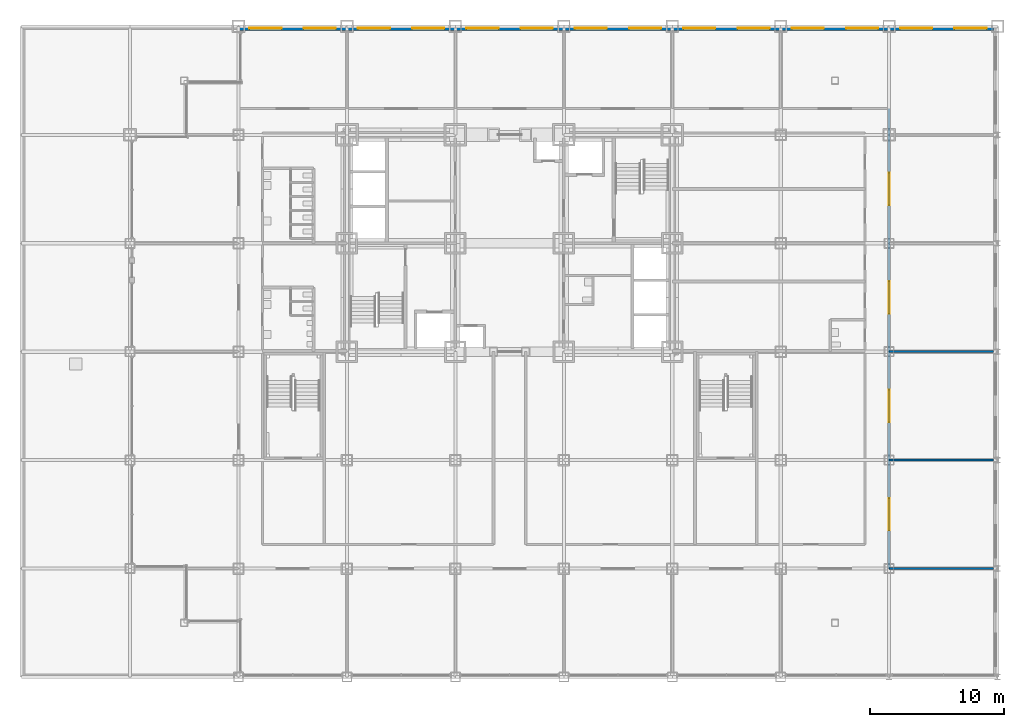
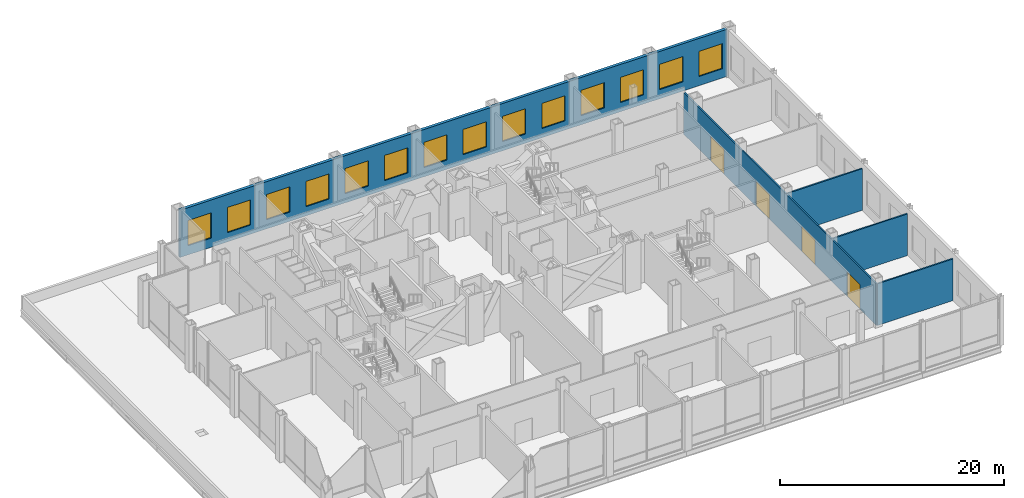
# One storey, part 22 of 26: 14 windows, 5 walls, 4 doors, 18 openings.
"""IFC4 building model written with IfcOpenShell, lengths in metres."""

import ifcopenshell
import ifcopenshell.guid

model = None  # the IFC model being written
_history = None  # IfcOwnerHistory: only IFC2X3 demands one
_inside = {}  # id of a spatial element -> (the spatial element, [elements in it])
_under = {}  # id of a project, library or spatial element -> (it, [spatial elements below it])
_declared = {}  # id of a project -> (the project, [libraries it declares])
_typed = {}  # id of a type object -> (the type object, [elements of that type])
_made_of = {}  # id of a material, layer set ... -> (it, [elements and type objects made of it])


def new_model(schema):
    """Start an empty IFC model of exactly this schema.

    Asked for "IFC4X3", IfcOpenShell would pick the latest addendum, in which some entities
    have other attributes; the version numbers below select the first issue.
    IFC2X3 requires an IfcOwnerHistory on every rooted entity: one is made here for all.
    """
    global model, _history
    if schema == "IFC4X3":
        model = ifcopenshell.file(schema_version=(4, 3, 0, 0))
    else:
        model = ifcopenshell.file(schema=schema)
    _inside.clear()
    _under.clear()
    _declared.clear()
    _typed.clear()
    _made_of.clear()
    _history = None
    if model.schema == "IFC2X3":
        org = make("IfcOrganization", Name="unknown")
        user = make(
            "IfcPersonAndOrganization",
            ThePerson=make("IfcPerson", FamilyName="unknown"),
            TheOrganization=org,
        )
        app = make(
            "IfcApplication",
            ApplicationDeveloper=org,
            Version="unknown",
            ApplicationFullName="unknown",
            ApplicationIdentifier="unknown",
        )
        _history = make(
            "IfcOwnerHistory",
            OwningUser=user,
            OwningApplication=app,
            ChangeAction="ADDED",
            CreationDate=0,
        )
    return model


def make(cls, **values):
    """One entity of the class cls with the attributes given. An attribute that is None is left unset."""
    return model.create_entity(
        cls, **{name: value for name, value in values.items() if value is not None}
    )


def rooted(cls, **values):
    """An entity with a GlobalId (a new one), such as an element, a storey or a relation."""
    return make(cls, GlobalId=ifcopenshell.guid.new(), OwnerHistory=_history, **values)


def si_unit(unit_type, name, prefix=None):
    """IfcSIUnit, for example si_unit("LENGTHUNIT", "METRE", prefix="MILLI")."""
    return make("IfcSIUnit", UnitType=unit_type, Prefix=prefix, Name=name)


def assignment(units):
    """IfcUnitAssignment: the units of a project."""
    return None if units is None else make("IfcUnitAssignment", Units=units)


def point(xyz):
    """IfcCartesianPoint."""
    return None if xyz is None else make("IfcCartesianPoint", Coordinates=xyz)


def direction(xyz):
    """IfcDirection."""
    return None if xyz is None else make("IfcDirection", DirectionRatios=xyz)


def frame(location, z_axis=None, x_axis=None):
    """IfcAxis2Placement3D, a coordinate frame: its origin and axes. An axis left out is left unset."""
    return make(
        "IfcAxis2Placement3D",
        Location=point(location),
        Axis=direction(z_axis),
        RefDirection=direction(x_axis),
    )


def frame_2d(location, x_axis=None):
    """IfcAxis2Placement2D, a coordinate frame in the plane: its origin and x axis."""
    return make(
        "IfcAxis2Placement2D", Location=point(location), RefDirection=direction(x_axis)
    )


def origin():
    """The frame at (0, 0, 0) with its axes left unset."""
    return frame((0.0, 0.0, 0.0))


def place(relative_to, where):
    """IfcLocalPlacement: puts the frame where relative to a parent placement (None: the world)."""
    return make(
        "IfcLocalPlacement", PlacementRelTo=relative_to, RelativePlacement=where
    )


def context(
    kind, dimensions, precision=None, world=None, true_north=None, identifier=None
):
    """IfcGeometricRepresentationContext, for example the 3D "Model" context."""
    return make(
        "IfcGeometricRepresentationContext",
        ContextIdentifier=identifier,
        ContextType=kind,
        CoordinateSpaceDimension=dimensions,
        Precision=precision,
        WorldCoordinateSystem=world,
        TrueNorth=true_north,
    )


def subcontext(parent, identifier, kind, view, scale=None):
    """IfcGeometricRepresentationSubContext, for example "Body" below "Model"."""
    return make(
        "IfcGeometricRepresentationSubContext",
        ContextIdentifier=identifier,
        ContextType=kind,
        ParentContext=parent,
        TargetScale=scale,
        TargetView=view,
    )


def project(units=None, contexts=None):
    """IfcProject with its units and contexts."""
    return rooted(
        "IfcProject",
        Name="project",
        RepresentationContexts=contexts,
        UnitsInContext=assignment(units),
    )


def spatial(cls, under=None, at=None, **own):
    """A site, building, storey or space (cls), placed at a placement, below another one or the project."""
    s = rooted(cls, ObjectPlacement=at, **own)
    if under is not None:
        _under.setdefault(under.id(), (under, []))[1].append(s)
    return s


def profile(cls, at=None, kind="AREA", **sizes):
    """A parametric profile (cls). Its sizes go by their IFC names, for example OverallWidth=200.0."""
    return make(cls, ProfileType=kind, Position=at, **sizes)


def rectangle(**sizes):
    """IfcRectangleProfileDef."""
    return profile("IfcRectangleProfileDef", **sizes)


def extrude(swept, where, along, depth):
    """IfcExtrudedAreaSolid: the profile swept, set in the frame where, extruded along a direction by depth."""
    return make(
        "IfcExtrudedAreaSolid",
        SweptArea=swept,
        Position=where,
        ExtrudedDirection=direction(along),
        Depth=depth,
    )


def shape(context_of_items, identifier, shape_type, items):
    """IfcShapeRepresentation: the items that make up one representation, for example the "Body"."""
    return make(
        "IfcShapeRepresentation",
        ContextOfItems=context_of_items,
        RepresentationIdentifier=identifier,
        RepresentationType=shape_type,
        Items=items,
    )


def material(Name=None, Category=None):
    """IfcMaterial."""
    return make("IfcMaterial", Name=Name, Category=Category)


def layer(
    of_material, thickness, ventilated=None, Name=None, Category=None, Priority=None
):
    """IfcMaterialLayer: one layer of a wall or slab, of a material (None: an air gap)."""
    return make(
        "IfcMaterialLayer",
        Material=of_material,
        LayerThickness=thickness,
        IsVentilated=ventilated,
        Name=Name,
        Category=Category,
        Priority=Priority,
    )


def layer_set(layers, Name=None):
    """IfcMaterialLayerSet."""
    return make("IfcMaterialLayerSet", MaterialLayers=layers, LayerSetName=Name)


def made_of(thing, what):
    """Note that an element or type object is made of a material, layer set ...; save() writes the relation."""
    if what is not None:
        _made_of.setdefault(what.id(), (what, []))[1].append(thing)
    return thing


def type_object(cls, material=None, **own):
    """A type object (cls), such as IfcWallType, which elements share."""
    return made_of(rooted(cls, **own), material)


def element(
    cls,
    number,
    at=None,
    inside=None,
    cuts=None,
    type_object=None,
    material=None,
    context=None,
    identifier="Body",
    shape_type=None,
    held_by="IfcProductDefinitionShape",
    body=None,
    shapes=None,
    **own,
):
    """One element of the class cls, such as IfcWall. Its Tag is "e" and its number.

    at: its placement. inside: the storey or other place that contains it. cuts: it is an
    opening in that element (IfcRelVoidsElement). A single representation is given by context,
    identifier, shape_type and body (its items); several are given by shapes. held_by: the class
    of the entity that holds the representations. save() writes the other relations.
    """
    e = rooted(cls, Tag="e%d" % number, ObjectPlacement=at, **own)
    if body is not None:
        shapes = [shape(context, identifier, shape_type, body)]
    if shapes is not None:
        e.Representation = make(held_by, Representations=shapes)
    if inside is not None:
        _inside.setdefault(inside.id(), (inside, []))[1].append(e)
    if cuts is not None:
        rooted(
            "IfcRelVoidsElement", RelatingBuildingElement=cuts, RelatedOpeningElement=e
        )
    if type_object is not None:
        _typed.setdefault(type_object.id(), (type_object, []))[1].append(e)
    return made_of(e, material)


def fill(opening, filler):
    """IfcRelFillsElement: the door or window that sits in an opening."""
    return rooted(
        "IfcRelFillsElement",
        RelatingOpeningElement=opening,
        RelatedBuildingElement=filler,
    )


def aggregate(whole, parts):
    """IfcRelAggregates: a whole, such as a stair, and the parts it consists of."""
    return rooted("IfcRelAggregates", RelatingObject=whole, RelatedObjects=parts)


def save(model, path):
    """Write the relations noted so far, then the file.

    IfcRelAggregates (storeys below a building ...), IfcRelContainedInSpatialStructure (elements
    in a storey), IfcRelDefinesByType, IfcRelAssociatesMaterial and IfcRelDeclares: one each for
    every whole, place, type object, material and project.
    """
    for whole, parts in _under.values():
        aggregate(whole, parts)
    for where, things in _inside.values():
        rooted(
            "IfcRelContainedInSpatialStructure",
            RelatedElements=things,
            RelatingStructure=where,
        )
    for kind, things in _typed.values():
        rooted("IfcRelDefinesByType", RelatedObjects=things, RelatingType=kind)
    for what, things in _made_of.values():
        rooted("IfcRelAssociatesMaterial", RelatedObjects=things, RelatingMaterial=what)
    for by, libraries in _declared.values():
        rooted("IfcRelDeclares", RelatingContext=by, RelatedDefinitions=libraries)
    model.write(path)


model = new_model("IFC4")

# Units and contexts
model_context = context("Model", 3, precision=1e-05, world=origin(), true_north=direction((0.0, 1.0)))
body_context = subcontext(model_context, "Body", "Model", "MODEL_VIEW")
ifc_project = project(units=[si_unit("LENGTHUNIT", "METRE"), si_unit("AREAUNIT", "SQUARE_METRE"), si_unit("VOLUMEUNIT", "CUBIC_METRE"), si_unit("PLANEANGLEUNIT", "RADIAN"), si_unit("MASSUNIT", "GRAM", prefix="KILO")], contexts=[model_context])

# Site, building, storey
site_placement = place(None, origin())
site = spatial("IfcSite", under=ifc_project, at=site_placement, CompositionType="ELEMENT")
building_placement = place(site_placement, origin())
building = spatial("IfcBuilding", under=site, at=building_placement, Name="Kopane Lantern Tower", CompositionType="ELEMENT")
storey_placement = place(building_placement, frame((0.0, 0.0, 16.800048828125)))
storey = spatial("IfcBuildingStorey", under=building, at=storey_placement, Name="L03", CompositionType="ELEMENT", Elevation=16.800048828125)

# Wall, openings, doors
ifc_material_1 = material(Name="Gypsum board on steel studs", Category="steel")
ifc_layer_1 = layer(ifc_material_1, 0.14990234375)
ifc_layer_set_1 = layer_set([ifc_layer_1], Name="CORRIDOR WALL 150 EI 60")
wall_type_1 = type_object("IfcWallType", Name="CORRIDOR WALL 150 EI 60", PredefinedType="PARTITIONING", material=ifc_layer_set_1)
wall_1_placement = place(storey_placement, frame((56.699951171875, 8.10009765625, 0.0), z_axis=(0.0, 0.0, 1.0), x_axis=(0.0, 1.0, 0.0)))
wall_1 = element("IfcWall", 1, at=wall_1_placement, inside=storey, type_object=wall_type_1, Name="Corridor Wall 150 Ei 60 L03", PredefinedType="PARTITIONING", context=body_context, shape_type="SweptSolid", body=[
    extrude(rectangle(XDim=34.349853515625, YDim=0.14990234375, at=frame_2d((17.1748046875, 0.0))), origin(), (0.0, 0.0, 1.0), 4.537841796875),
])
opening_1_placement = place(wall_1_placement, frame((2.85009765625, 0.0, 0.0)))
opening_1 = element("IfcOpeningElement", 2, at=opening_1_placement, cuts=wall_1, Name="Opening L03-024", PredefinedType="OPENING", context=body_context, shape_type="SweptSolid", body=[
    extrude(rectangle(XDim=2.39990234375, YDim=2.699951171875, at=frame_2d((1.199951171875, 1.35009765625))), frame((0.0, 0.0849609375, 0.0), z_axis=(0.0, -1.0, 0.0), x_axis=(1.0, 0.0, 0.0)), (0.0, 0.0, 1.0), 0.169921875),
])
opening_2_placement = place(wall_1_placement, frame((10.949951171875, 0.0, 0.0)))
opening_2 = element("IfcOpeningElement", 3, at=opening_2_placement, cuts=wall_1, Name="Opening L03-025", PredefinedType="OPENING", context=body_context, shape_type="SweptSolid", body=[
    extrude(rectangle(XDim=2.39990234375, YDim=2.699951171875, at=frame_2d((1.199951171875, 1.35009765625))), frame((0.0, 0.0849609375, 0.0), z_axis=(0.0, -1.0, 0.0), x_axis=(1.0, 0.0, 0.0)), (0.0, 0.0, 1.0), 0.169921875),
])
opening_3_placement = place(wall_1_placement, frame((19.050048828125, 0.0, 0.0)))
opening_3 = element("IfcOpeningElement", 4, at=opening_3_placement, cuts=wall_1, Name="Opening L03-026", PredefinedType="OPENING", context=body_context, shape_type="SweptSolid", body=[
    extrude(rectangle(XDim=2.39990234375, YDim=2.699951171875, at=frame_2d((1.199951171875, 1.35009765625))), frame((0.0, 0.0849609375, 0.0), z_axis=(0.0, -1.0, 0.0), x_axis=(1.0, 0.0, 0.0)), (0.0, 0.0, 1.0), 0.169921875),
])
opening_4_placement = place(wall_1_placement, frame((27.14990234375, 0.0, 0.0)))
opening_4 = element("IfcOpeningElement", 5, at=opening_4_placement, cuts=wall_1, Name="Opening L03-027", PredefinedType="OPENING", context=body_context, shape_type="SweptSolid", body=[
    extrude(rectangle(XDim=2.39990234375, YDim=2.699951171875, at=frame_2d((1.199951171875, 1.35009765625))), frame((0.0, 0.0849609375, 0.0), z_axis=(0.0, -1.0, 0.0), x_axis=(1.0, 0.0, 0.0)), (0.0, 0.0, 1.0), 0.169921875),
])
ifc_material_2 = material(Name="Timber door set", Category="wood")
door_type = type_object("IfcDoorType", Name="DOOR D7 2400x2700 SHOPFRONT", OperationType="SINGLE_SWING_LEFT", PredefinedType="DOOR", material=ifc_material_2)
door_1_placement = place(opening_1_placement, origin())
door_1 = element("IfcDoor", 6, at=door_1_placement, inside=storey, type_object=door_type, Name="Door L03-024", OperationType="DOUBLE_DOOR_SINGLE_SWING", OverallHeight=2.699951171875, OverallWidth=2.39990234375, PredefinedType="DOOR", context=body_context, shape_type="SweptSolid", body=[
    extrude(rectangle(XDim=2.39990234375, YDim=2.699951171875, at=frame_2d((1.199951171875, 1.35009765625))), frame((0.0, 0.02490234375, 0.0), z_axis=(0.0, -1.0, 0.0), x_axis=(1.0, 0.0, 0.0)), (0.0, 0.0, 1.0), 0.050048828125),
])
fill(opening_1, door_1)
door_2_placement = place(opening_2_placement, origin())
door_2 = element("IfcDoor", 7, at=door_2_placement, inside=storey, type_object=door_type, Name="Door L03-025", OperationType="DOUBLE_DOOR_SINGLE_SWING", OverallHeight=2.699951171875, OverallWidth=2.39990234375, PredefinedType="DOOR", context=body_context, shape_type="SweptSolid", body=[
    extrude(rectangle(XDim=2.39990234375, YDim=2.699951171875, at=frame_2d((1.199951171875, 1.35009765625))), frame((0.0, 0.02490234375, 0.0), z_axis=(0.0, -1.0, 0.0), x_axis=(1.0, 0.0, 0.0)), (0.0, 0.0, 1.0), 0.050048828125),
])
fill(opening_2, door_2)
door_3_placement = place(opening_3_placement, origin())
door_3 = element("IfcDoor", 8, at=door_3_placement, inside=storey, type_object=door_type, Name="Door L03-026", OperationType="DOUBLE_DOOR_SINGLE_SWING", OverallHeight=2.699951171875, OverallWidth=2.39990234375, PredefinedType="DOOR", context=body_context, shape_type="SweptSolid", body=[
    extrude(rectangle(XDim=2.39990234375, YDim=2.699951171875, at=frame_2d((1.199951171875, 1.35009765625))), frame((0.0, 0.02490234375, 0.0), z_axis=(0.0, -1.0, 0.0), x_axis=(1.0, 0.0, 0.0)), (0.0, 0.0, 1.0), 0.050048828125),
])
fill(opening_3, door_3)
door_4_placement = place(opening_4_placement, origin())
door_4 = element("IfcDoor", 9, at=door_4_placement, inside=storey, type_object=door_type, Name="Door L03-027", OperationType="DOUBLE_DOOR_SINGLE_SWING", OverallHeight=2.699951171875, OverallWidth=2.39990234375, PredefinedType="DOOR", context=body_context, shape_type="SweptSolid", body=[
    extrude(rectangle(XDim=2.39990234375, YDim=2.699951171875, at=frame_2d((1.199951171875, 1.35009765625))), frame((0.0, 0.02490234375, 0.0), z_axis=(0.0, -1.0, 0.0), x_axis=(1.0, 0.0, 0.0)), (0.0, 0.0, 1.0), 0.050048828125),
])
fill(opening_4, door_4)

# Walls
ifc_material_3 = material(Name="Gypsum board on steel studs", Category="steel")
ifc_layer_2 = layer(ifc_material_3, 0.14990234375)
ifc_layer_set_2 = layer_set([ifc_layer_2], Name="DEMISING WALL 150 EI 60")
wall_type_2 = type_object("IfcWallType", Name="DEMISING WALL 150 EI 60", PredefinedType="PARTITIONING", material=ifc_layer_set_2)
for number, where, z_axis, x_axis, name in (
    (10, (56.699951171875, 16.199951171875, 0.0), (0.0, 0.0, 1.0), (1.0, 0.0, 0.0), "Demising Wall 150 Ei 60 L03"),
    (11, (56.699951171875, 24.300048828125, 0.0), (0.0, 0.0, 1.0), (1.0, 0.0, 0.0), "Demising Wall 150 Ei 60 L03"),
    (12, (56.699951171875, 8.10009765625, 0.0), (0.0, 0.0, 1.0), (1.0, 0.0, 0.0), "Demising Wall 150 Ei 60 L03"),
):
    element("IfcWall", number, at=place(storey_placement, frame(where, z_axis=z_axis, x_axis=x_axis)), inside=storey, type_object=wall_type_2, Name=name, PredefinedType="PARTITIONING", context=body_context, shape_type="SweptSolid", body=[
        extrude(rectangle(XDim=7.800048828125, YDim=0.14990234375, at=frame_2d((3.89990234375, 0.0))), origin(), (0.0, 0.0, 1.0), 4.537841796875),
    ])

# Wall, openings, windows
ifc_material_4 = material(Name="Terracotta rainscreen on light steel framing", Category="masonry")
ifc_layer_3 = layer(ifc_material_4, 0.300048828125)
ifc_layer_set_3 = layer_set([ifc_layer_3], Name="EXTERNAL WALL EW1 300 TERRACOTTA")
wall_type_3 = type_object("IfcWallType", Name="EXTERNAL WALL EW1 300 TERRACOTTA", PredefinedType="SOLIDWALL", material=ifc_layer_set_3)
wall_2_placement = place(storey_placement, frame((64.5, 48.449951171875, 0.0), z_axis=(0.0, 0.0, 1.0), x_axis=(-1.0, 0.0, 0.0)))
wall_2 = element("IfcWall", 13, at=wall_2_placement, inside=storey, type_object=wall_type_3, Name="External wall N L03", PredefinedType="SOLIDWALL", context=body_context, shape_type="SweptSolid", body=[
    extrude(rectangle(XDim=56.39990234375, YDim=0.300048828125, at=frame_2d((28.199951171875, 0.0))), origin(), (0.0, 0.0, 1.0), 5.14990234375),
])
opening_5_placement = place(wall_2_placement, frame((0.52490234375, 0.0, 1.0)))
opening_5 = element("IfcOpeningElement", 14, at=opening_5_placement, cuts=wall_2, Name="Opening WP240275", PredefinedType="OPENING", context=body_context, shape_type="SweptSolid", body=[
    extrude(rectangle(XDim=2.39990234375, YDim=2.75, at=frame_2d((1.199951171875, 1.375))), frame((0.0, 0.159912109375, 0.0), z_axis=(0.0, -1.0, 0.0), x_axis=(1.0, 0.0, 0.0)), (0.0, 0.0, 1.0), 0.320068359375),
])
opening_6_placement = place(wall_2_placement, frame((4.574951171875, 0.0, 1.0)))
opening_6 = element("IfcOpeningElement", 15, at=opening_6_placement, cuts=wall_2, Name="Opening WP240275", PredefinedType="OPENING", context=body_context, shape_type="SweptSolid", body=[
    extrude(rectangle(XDim=2.39990234375, YDim=2.75, at=frame_2d((1.199951171875, 1.375))), frame((0.0, 0.159912109375, 0.0), z_axis=(0.0, -1.0, 0.0), x_axis=(1.0, 0.0, 0.0)), (0.0, 0.0, 1.0), 0.320068359375),
])
opening_7_placement = place(wall_2_placement, frame((8.625, 0.0, 1.0)))
opening_7 = element("IfcOpeningElement", 16, at=opening_7_placement, cuts=wall_2, Name="Opening WP240275", PredefinedType="OPENING", context=body_context, shape_type="SweptSolid", body=[
    extrude(rectangle(XDim=2.39990234375, YDim=2.75, at=frame_2d((1.199951171875, 1.375))), frame((0.0, 0.159912109375, 0.0), z_axis=(0.0, -1.0, 0.0), x_axis=(1.0, 0.0, 0.0)), (0.0, 0.0, 1.0), 0.320068359375),
])
opening_8_placement = place(wall_2_placement, frame((12.675048828125, 0.0, 1.0)))
opening_8 = element("IfcOpeningElement", 17, at=opening_8_placement, cuts=wall_2, Name="Opening WP240275", PredefinedType="OPENING", context=body_context, shape_type="SweptSolid", body=[
    extrude(rectangle(XDim=2.39990234375, YDim=2.75, at=frame_2d((1.199951171875, 1.375))), frame((0.0, 0.159912109375, 0.0), z_axis=(0.0, -1.0, 0.0), x_axis=(1.0, 0.0, 0.0)), (0.0, 0.0, 1.0), 0.320068359375),
])
opening_9_placement = place(wall_2_placement, frame((16.72509765625, 0.0, 1.0)))
opening_9 = element("IfcOpeningElement", 18, at=opening_9_placement, cuts=wall_2, Name="Opening WP240275", PredefinedType="OPENING", context=body_context, shape_type="SweptSolid", body=[
    extrude(rectangle(XDim=2.39990234375, YDim=2.75, at=frame_2d((1.199951171875, 1.375))), frame((0.0, 0.159912109375, 0.0), z_axis=(0.0, -1.0, 0.0), x_axis=(1.0, 0.0, 0.0)), (0.0, 0.0, 1.0), 0.320068359375),
])
opening_10_placement = place(wall_2_placement, frame((20.77490234375, 0.0, 1.0)))
opening_10 = element("IfcOpeningElement", 19, at=opening_10_placement, cuts=wall_2, Name="Opening WP240275", PredefinedType="OPENING", context=body_context, shape_type="SweptSolid", body=[
    extrude(rectangle(XDim=2.39990234375, YDim=2.75, at=frame_2d((1.199951171875, 1.375))), frame((0.0, 0.159912109375, 0.0), z_axis=(0.0, -1.0, 0.0), x_axis=(1.0, 0.0, 0.0)), (0.0, 0.0, 1.0), 0.320068359375),
])
opening_11_placement = place(wall_2_placement, frame((24.824951171875, 0.0, 1.0)))
opening_11 = element("IfcOpeningElement", 20, at=opening_11_placement, cuts=wall_2, Name="Opening WP240275", PredefinedType="OPENING", context=body_context, shape_type="SweptSolid", body=[
    extrude(rectangle(XDim=2.39990234375, YDim=2.75, at=frame_2d((1.199951171875, 1.375))), frame((0.0, 0.159912109375, 0.0), z_axis=(0.0, -1.0, 0.0), x_axis=(1.0, 0.0, 0.0)), (0.0, 0.0, 1.0), 0.320068359375),
])
opening_12_placement = place(wall_2_placement, frame((28.875, 0.0, 1.0)))
opening_12 = element("IfcOpeningElement", 21, at=opening_12_placement, cuts=wall_2, Name="Opening WP240275", PredefinedType="OPENING", context=body_context, shape_type="SweptSolid", body=[
    extrude(rectangle(XDim=2.39990234375, YDim=2.75, at=frame_2d((1.199951171875, 1.375))), frame((0.0, 0.159912109375, 0.0), z_axis=(0.0, -1.0, 0.0), x_axis=(1.0, 0.0, 0.0)), (0.0, 0.0, 1.0), 0.320068359375),
])
opening_13_placement = place(wall_2_placement, frame((32.925048828125, 0.0, 1.0)))
opening_13 = element("IfcOpeningElement", 22, at=opening_13_placement, cuts=wall_2, Name="Opening WP240275", PredefinedType="OPENING", context=body_context, shape_type="SweptSolid", body=[
    extrude(rectangle(XDim=2.39990234375, YDim=2.75, at=frame_2d((1.199951171875, 1.375))), frame((0.0, 0.159912109375, 0.0), z_axis=(0.0, -1.0, 0.0), x_axis=(1.0, 0.0, 0.0)), (0.0, 0.0, 1.0), 0.320068359375),
])
opening_14_placement = place(wall_2_placement, frame((36.97509765625, 0.0, 1.0)))
opening_14 = element("IfcOpeningElement", 23, at=opening_14_placement, cuts=wall_2, Name="Opening WP240275", PredefinedType="OPENING", context=body_context, shape_type="SweptSolid", body=[
    extrude(rectangle(XDim=2.39990234375, YDim=2.75, at=frame_2d((1.199951171875, 1.375))), frame((0.0, 0.159912109375, 0.0), z_axis=(0.0, -1.0, 0.0), x_axis=(1.0, 0.0, 0.0)), (0.0, 0.0, 1.0), 0.320068359375),
])
opening_15_placement = place(wall_2_placement, frame((41.02490234375, 0.0, 1.0)))
opening_15 = element("IfcOpeningElement", 24, at=opening_15_placement, cuts=wall_2, Name="Opening WP240275", PredefinedType="OPENING", context=body_context, shape_type="SweptSolid", body=[
    extrude(rectangle(XDim=2.39990234375, YDim=2.75, at=frame_2d((1.199951171875, 1.375))), frame((0.0, 0.159912109375, 0.0), z_axis=(0.0, -1.0, 0.0), x_axis=(1.0, 0.0, 0.0)), (0.0, 0.0, 1.0), 0.320068359375),
])
opening_16_placement = place(wall_2_placement, frame((45.074951171875, 0.0, 1.0)))
opening_16 = element("IfcOpeningElement", 25, at=opening_16_placement, cuts=wall_2, Name="Opening WP240275", PredefinedType="OPENING", context=body_context, shape_type="SweptSolid", body=[
    extrude(rectangle(XDim=2.39990234375, YDim=2.75, at=frame_2d((1.199951171875, 1.375))), frame((0.0, 0.159912109375, 0.0), z_axis=(0.0, -1.0, 0.0), x_axis=(1.0, 0.0, 0.0)), (0.0, 0.0, 1.0), 0.320068359375),
])
opening_17_placement = place(wall_2_placement, frame((49.125, 0.0, 1.0)))
opening_17 = element("IfcOpeningElement", 26, at=opening_17_placement, cuts=wall_2, Name="Opening WP240275", PredefinedType="OPENING", context=body_context, shape_type="SweptSolid", body=[
    extrude(rectangle(XDim=2.39990234375, YDim=2.75, at=frame_2d((1.199951171875, 1.375))), frame((0.0, 0.159912109375, 0.0), z_axis=(0.0, -1.0, 0.0), x_axis=(1.0, 0.0, 0.0)), (0.0, 0.0, 1.0), 0.320068359375),
])
opening_18_placement = place(wall_2_placement, frame((53.175048828125, 0.0, 1.0)))
opening_18 = element("IfcOpeningElement", 27, at=opening_18_placement, cuts=wall_2, Name="Opening WP240275", PredefinedType="OPENING", context=body_context, shape_type="SweptSolid", body=[
    extrude(rectangle(XDim=2.39990234375, YDim=2.75, at=frame_2d((1.199951171875, 1.375))), frame((0.0, 0.159912109375, 0.0), z_axis=(0.0, -1.0, 0.0), x_axis=(1.0, 0.0, 0.0)), (0.0, 0.0, 1.0), 0.320068359375),
])
ifc_material_5 = material(Name="Aluminium and clear glass", Category="aluminium")
window_type = type_object("IfcWindowType", Name="WINDOW WP240275 2400x2750", PartitioningType="SINGLE_PANEL", PredefinedType="WINDOW", material=ifc_material_5)
window_1_placement = place(opening_5_placement, origin())
window_1 = element("IfcWindow", 28, at=window_1_placement, inside=storey, type_object=window_type, Name="Window N L03", OverallHeight=2.75, OverallWidth=2.39990234375, PartitioningType="SINGLE_PANEL", PredefinedType="WINDOW", context=body_context, shape_type="SweptSolid", body=[
    extrude(rectangle(XDim=2.39990234375, YDim=2.75, at=frame_2d((1.199951171875, 1.375))), frame((0.0, 0.030029296875, 0.0), z_axis=(0.0, -1.0, 0.0), x_axis=(1.0, 0.0, 0.0)), (0.0, 0.0, 1.0), 0.06005859375),
])
fill(opening_5, window_1)
window_2_placement = place(opening_6_placement, origin())
window_2 = element("IfcWindow", 29, at=window_2_placement, inside=storey, type_object=window_type, Name="Window N L03", OverallHeight=2.75, OverallWidth=2.39990234375, PartitioningType="SINGLE_PANEL", PredefinedType="WINDOW", context=body_context, shape_type="SweptSolid", body=[
    extrude(rectangle(XDim=2.39990234375, YDim=2.75, at=frame_2d((1.199951171875, 1.375))), frame((0.0, 0.030029296875, 0.0), z_axis=(0.0, -1.0, 0.0), x_axis=(1.0, 0.0, 0.0)), (0.0, 0.0, 1.0), 0.06005859375),
])
fill(opening_6, window_2)
window_3_placement = place(opening_7_placement, origin())
window_3 = element("IfcWindow", 30, at=window_3_placement, inside=storey, type_object=window_type, Name="Window N L03", OverallHeight=2.75, OverallWidth=2.39990234375, PartitioningType="SINGLE_PANEL", PredefinedType="WINDOW", context=body_context, shape_type="SweptSolid", body=[
    extrude(rectangle(XDim=2.39990234375, YDim=2.75, at=frame_2d((1.199951171875, 1.375))), frame((0.0, 0.030029296875, 0.0), z_axis=(0.0, -1.0, 0.0), x_axis=(1.0, 0.0, 0.0)), (0.0, 0.0, 1.0), 0.06005859375),
])
fill(opening_7, window_3)
window_4_placement = place(opening_8_placement, origin())
window_4 = element("IfcWindow", 31, at=window_4_placement, inside=storey, type_object=window_type, Name="Window N L03", OverallHeight=2.75, OverallWidth=2.39990234375, PartitioningType="SINGLE_PANEL", PredefinedType="WINDOW", context=body_context, shape_type="SweptSolid", body=[
    extrude(rectangle(XDim=2.39990234375, YDim=2.75, at=frame_2d((1.199951171875, 1.375))), frame((0.0, 0.030029296875, 0.0), z_axis=(0.0, -1.0, 0.0), x_axis=(1.0, 0.0, 0.0)), (0.0, 0.0, 1.0), 0.06005859375),
])
fill(opening_8, window_4)
window_5_placement = place(opening_9_placement, origin())
window_5 = element("IfcWindow", 32, at=window_5_placement, inside=storey, type_object=window_type, Name="Window N L03", OverallHeight=2.75, OverallWidth=2.39990234375, PartitioningType="SINGLE_PANEL", PredefinedType="WINDOW", context=body_context, shape_type="SweptSolid", body=[
    extrude(rectangle(XDim=2.39990234375, YDim=2.75, at=frame_2d((1.199951171875, 1.375))), frame((0.0, 0.030029296875, 0.0), z_axis=(0.0, -1.0, 0.0), x_axis=(1.0, 0.0, 0.0)), (0.0, 0.0, 1.0), 0.06005859375),
])
fill(opening_9, window_5)
window_6_placement = place(opening_10_placement, origin())
window_6 = element("IfcWindow", 33, at=window_6_placement, inside=storey, type_object=window_type, Name="Window N L03", OverallHeight=2.75, OverallWidth=2.39990234375, PartitioningType="SINGLE_PANEL", PredefinedType="WINDOW", context=body_context, shape_type="SweptSolid", body=[
    extrude(rectangle(XDim=2.39990234375, YDim=2.75, at=frame_2d((1.199951171875, 1.375))), frame((0.0, 0.030029296875, 0.0), z_axis=(0.0, -1.0, 0.0), x_axis=(1.0, 0.0, 0.0)), (0.0, 0.0, 1.0), 0.06005859375),
])
fill(opening_10, window_6)
window_7_placement = place(opening_11_placement, origin())
window_7 = element("IfcWindow", 34, at=window_7_placement, inside=storey, type_object=window_type, Name="Window N L03", OverallHeight=2.75, OverallWidth=2.39990234375, PartitioningType="SINGLE_PANEL", PredefinedType="WINDOW", context=body_context, shape_type="SweptSolid", body=[
    extrude(rectangle(XDim=2.39990234375, YDim=2.75, at=frame_2d((1.199951171875, 1.375))), frame((0.0, 0.030029296875, 0.0), z_axis=(0.0, -1.0, 0.0), x_axis=(1.0, 0.0, 0.0)), (0.0, 0.0, 1.0), 0.06005859375),
])
fill(opening_11, window_7)
window_8_placement = place(opening_12_placement, origin())
window_8 = element("IfcWindow", 35, at=window_8_placement, inside=storey, type_object=window_type, Name="Window N L03", OverallHeight=2.75, OverallWidth=2.39990234375, PartitioningType="SINGLE_PANEL", PredefinedType="WINDOW", context=body_context, shape_type="SweptSolid", body=[
    extrude(rectangle(XDim=2.39990234375, YDim=2.75, at=frame_2d((1.199951171875, 1.375))), frame((0.0, 0.030029296875, 0.0), z_axis=(0.0, -1.0, 0.0), x_axis=(1.0, 0.0, 0.0)), (0.0, 0.0, 1.0), 0.06005859375),
])
fill(opening_12, window_8)
window_9_placement = place(opening_13_placement, origin())
window_9 = element("IfcWindow", 36, at=window_9_placement, inside=storey, type_object=window_type, Name="Window N L03", OverallHeight=2.75, OverallWidth=2.39990234375, PartitioningType="SINGLE_PANEL", PredefinedType="WINDOW", context=body_context, shape_type="SweptSolid", body=[
    extrude(rectangle(XDim=2.39990234375, YDim=2.75, at=frame_2d((1.199951171875, 1.375))), frame((0.0, 0.030029296875, 0.0), z_axis=(0.0, -1.0, 0.0), x_axis=(1.0, 0.0, 0.0)), (0.0, 0.0, 1.0), 0.06005859375),
])
fill(opening_13, window_9)
window_10_placement = place(opening_14_placement, origin())
window_10 = element("IfcWindow", 37, at=window_10_placement, inside=storey, type_object=window_type, Name="Window N L03", OverallHeight=2.75, OverallWidth=2.39990234375, PartitioningType="SINGLE_PANEL", PredefinedType="WINDOW", context=body_context, shape_type="SweptSolid", body=[
    extrude(rectangle(XDim=2.39990234375, YDim=2.75, at=frame_2d((1.199951171875, 1.375))), frame((0.0, 0.030029296875, 0.0), z_axis=(0.0, -1.0, 0.0), x_axis=(1.0, 0.0, 0.0)), (0.0, 0.0, 1.0), 0.06005859375),
])
fill(opening_14, window_10)
window_11_placement = place(opening_15_placement, origin())
window_11 = element("IfcWindow", 38, at=window_11_placement, inside=storey, type_object=window_type, Name="Window N L03", OverallHeight=2.75, OverallWidth=2.39990234375, PartitioningType="SINGLE_PANEL", PredefinedType="WINDOW", context=body_context, shape_type="SweptSolid", body=[
    extrude(rectangle(XDim=2.39990234375, YDim=2.75, at=frame_2d((1.199951171875, 1.375))), frame((0.0, 0.030029296875, 0.0), z_axis=(0.0, -1.0, 0.0), x_axis=(1.0, 0.0, 0.0)), (0.0, 0.0, 1.0), 0.06005859375),
])
fill(opening_15, window_11)
window_12_placement = place(opening_16_placement, origin())
window_12 = element("IfcWindow", 39, at=window_12_placement, inside=storey, type_object=window_type, Name="Window N L03", OverallHeight=2.75, OverallWidth=2.39990234375, PartitioningType="SINGLE_PANEL", PredefinedType="WINDOW", context=body_context, shape_type="SweptSolid", body=[
    extrude(rectangle(XDim=2.39990234375, YDim=2.75, at=frame_2d((1.199951171875, 1.375))), frame((0.0, 0.030029296875, 0.0), z_axis=(0.0, -1.0, 0.0), x_axis=(1.0, 0.0, 0.0)), (0.0, 0.0, 1.0), 0.06005859375),
])
fill(opening_16, window_12)
window_13_placement = place(opening_17_placement, origin())
window_13 = element("IfcWindow", 40, at=window_13_placement, inside=storey, type_object=window_type, Name="Window N L03", OverallHeight=2.75, OverallWidth=2.39990234375, PartitioningType="SINGLE_PANEL", PredefinedType="WINDOW", context=body_context, shape_type="SweptSolid", body=[
    extrude(rectangle(XDim=2.39990234375, YDim=2.75, at=frame_2d((1.199951171875, 1.375))), frame((0.0, 0.030029296875, 0.0), z_axis=(0.0, -1.0, 0.0), x_axis=(1.0, 0.0, 0.0)), (0.0, 0.0, 1.0), 0.06005859375),
])
fill(opening_17, window_13)
window_14_placement = place(opening_18_placement, origin())
window_14 = element("IfcWindow", 41, at=window_14_placement, inside=storey, type_object=window_type, Name="Window N L03", OverallHeight=2.75, OverallWidth=2.39990234375, PartitioningType="SINGLE_PANEL", PredefinedType="WINDOW", context=body_context, shape_type="SweptSolid", body=[
    extrude(rectangle(XDim=2.39990234375, YDim=2.75, at=frame_2d((1.199951171875, 1.375))), frame((0.0, 0.030029296875, 0.0), z_axis=(0.0, -1.0, 0.0), x_axis=(1.0, 0.0, 0.0)), (0.0, 0.0, 1.0), 0.06005859375),
])
fill(opening_18, window_14)

save(model, "model.ifc")
